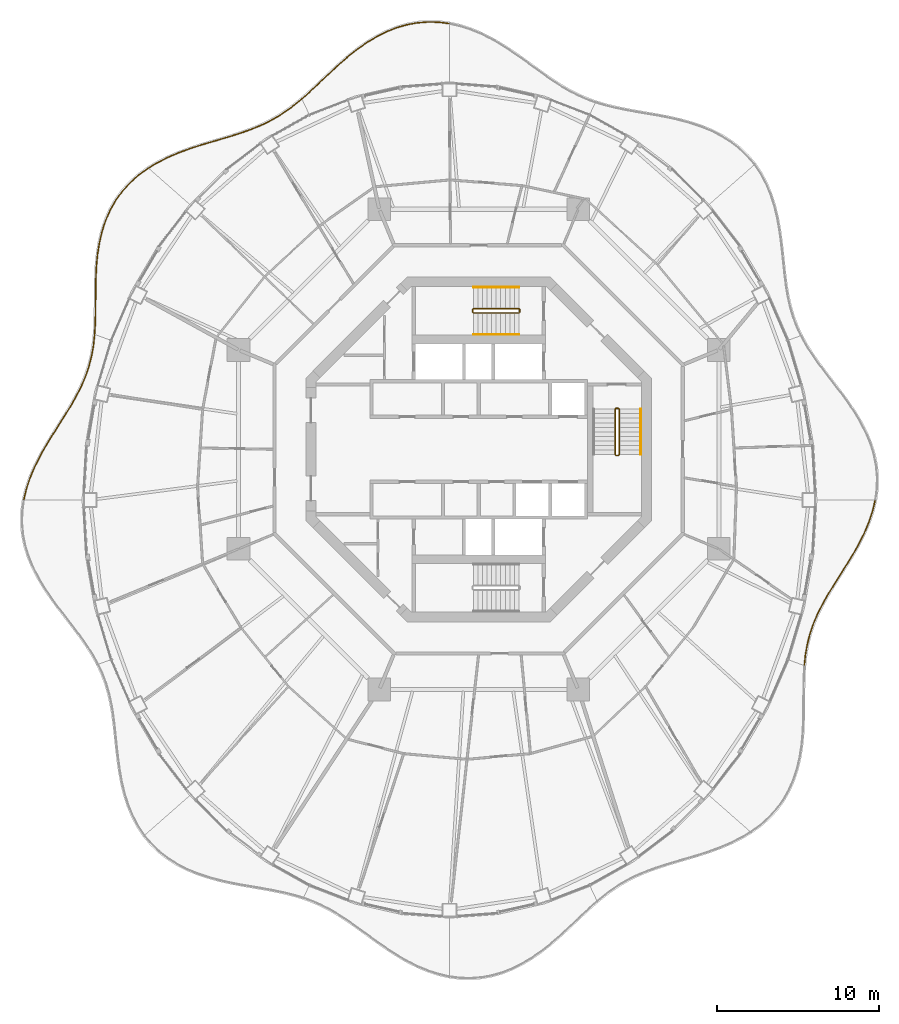
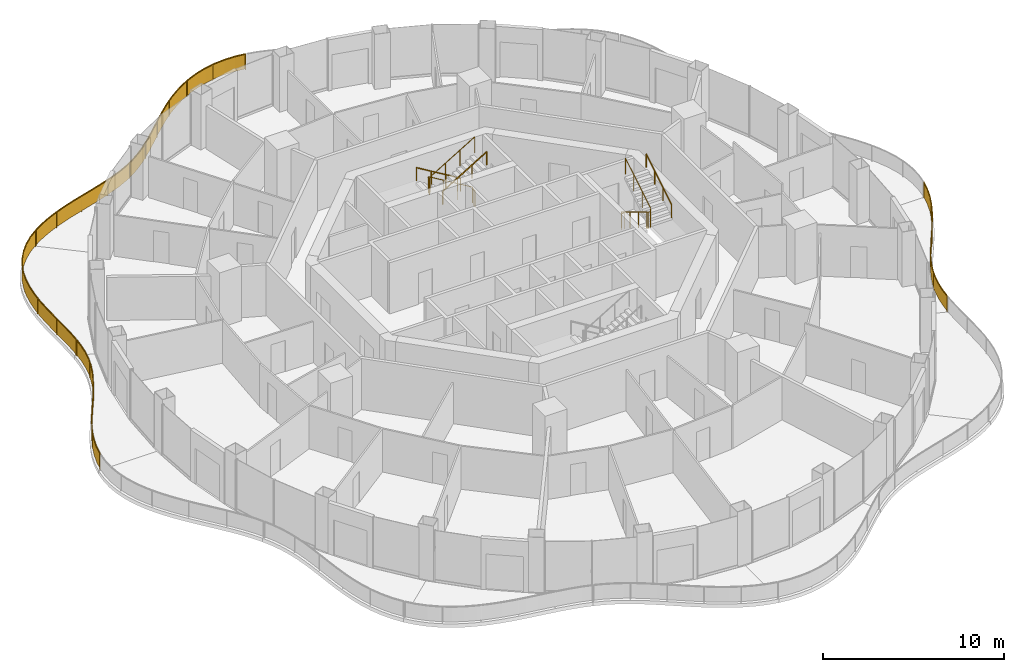
# One storey, part 16 of 17: 10 railings.
"""IFC4 building model written with IfcOpenShell, lengths in metres."""

from ifc_helpers import new_model, si_unit, direction, frame, origin, origin_2d, place, context, subcontext, project, spatial, polyline, rectangle, circle, outline, extrude, material, type_object, element, save


model = new_model("IFC4")

# Units and contexts
model_context = context("Model", 3, precision=1e-05, world=origin(), true_north=direction((0.0, 1.0)))
body_context = subcontext(model_context, "Body", "Model", "MODEL_VIEW")
ifc_project = project(units=[si_unit("LENGTHUNIT", "METRE"), si_unit("AREAUNIT", "SQUARE_METRE"), si_unit("VOLUMEUNIT", "CUBIC_METRE"), si_unit("PLANEANGLEUNIT", "RADIAN"), si_unit("MASSUNIT", "GRAM", prefix="KILO")], contexts=[model_context])

# Site, building, storey
site_placement = place(None, origin())
site = spatial("IfcSite", under=ifc_project, at=site_placement, CompositionType="ELEMENT")
building_placement = place(site_placement, origin())
building = spatial("IfcBuilding", under=site, at=building_placement, Name="Nagisa Residences", CompositionType="ELEMENT")
storey_placement = place(building_placement, frame((0.0, 0.0, 277.0)))
storey = spatial("IfcBuildingStorey", under=building, at=storey_placement, Name="L70", CompositionType="ELEMENT", Elevation=277.0)

# Railings
ifc_material_1 = material(Name="Stainless steel 316", Category="steel")
railing_type_1 = type_object("IfcRailingType", Name="BALCONY GUARD 1100", PredefinedType="BALUSTRADE", material=ifc_material_1)
railing_1_placement = place(storey_placement, frame((-1.83837890625, 26.216796875, 0.0)))
element("IfcRailing", 1, at=railing_1_placement, inside=storey, type_object=railing_type_1, Name="guard:L70:bal04-0", PredefinedType="BALUSTRADE", context=body_context, shape_type="SweptSolid", body=[
    extrude(outline(polyline([(-0.620849609375, 0.054443359375), (-0.003173828125, -0.02490234375), (0.003173828125, 0.02490234375), (-0.616943359375, 0.104248046875), (-1.28759765625, 0.1201171875), (-1.955322265625, 0.06591796875), (-2.61474609375, -0.0576171875), (-3.259521484375, -0.24755859375), (-3.875, -0.497314453125), (-4.48583984375, -0.80517578125), (-5.07470703125, -1.16162109375), (-5.64013671875, -1.557373046875), (-6.182861328125, -1.983154296875), (-6.686767578125, -2.423828125), (-7.187744140625, -2.87939453125), (-7.672119140625, -3.33544921875), (-8.144775390625, -3.783447265625), (-8.60986328125, -4.21533203125), (-9.038818359375, -4.596923828125), (-9.005615234375, -4.634521484375), (-8.576171875, -4.25244140625), (-8.110595703125, -3.820068359375), (-7.637939453125, -3.3720703125), (-7.153564453125, -2.916015625), (-6.653564453125, -2.4609375), (-6.151123046875, -2.021728515625), (-5.6103515625, -1.597412109375), (-5.04736328125, -1.20361328125), (-4.46142578125, -0.84912109375), (-3.8544921875, -0.542724609375), (-3.242919921875, -0.294921875), (-2.60302734375, -0.1064453125), (-1.948486328125, 0.01611328125), (-1.2861328125, 0.06982421875), (-0.620849609375, 0.054443359375)])), frame((0.0, 0.0, 1.050048828125)), (0.0, 0.0, 1.0), 0.050048828125),
    extrude(outline(polyline([(-0.619384765625, 0.072265625), (-0.0009765625, -0.0068359375), (0.0009765625, 0.0068359375), (-0.618408203125, 0.08642578125), (-1.287109375, 0.10205078125), (-1.952880859375, 0.0478515625), (-2.610595703125, -0.0751953125), (-3.25341796875, -0.2646484375), (-3.86767578125, -0.513671875), (-4.47705078125, -0.821044921875), (-5.06494140625, -1.1767578125), (-5.62939453125, -1.57177734375), (-6.17138671875, -1.9970703125), (-6.6748046875, -2.437255859375), (-7.17529296875, -2.892578125), (-7.659912109375, -3.3486328125), (-8.132568359375, -3.796630859375), (-8.59765625, -4.228759765625), (-9.02685546875, -4.610595703125), (-9.017578125, -4.620849609375), (-8.58837890625, -4.239013671875), (-8.122802734375, -3.806884765625), (-7.650146484375, -3.35888671875), (-7.166015625, -2.90283203125), (-6.66552734375, -2.447509765625), (-6.16259765625, -2.0078125), (-5.62109375, -1.5830078125), (-5.05712890625, -1.1884765625), (-4.47021484375, -0.833251953125), (-3.86181640625, -0.5263671875), (-3.2490234375, -0.27783203125), (-2.607177734375, -0.0888671875), (-1.950927734375, 0.0341796875), (-1.28662109375, 0.087890625), (-0.619384765625, 0.072265625)])), frame((0.0, 0.0, 0.06005859375)), (0.0, 0.0, 1.0), 0.989990234375),
    extrude(rectangle(XDim=0.0400390625, YDim=0.0400390625, at=origin_2d()), origin(), (0.0, 0.0, 1.0), 1.050048828125),
    extrude(rectangle(XDim=0.0400390625, YDim=0.0400390625, at=origin_2d()), frame((-2.105224609375, 0.01220703125, 0.0)), (0.0, 0.0, 1.0), 1.050048828125),
    extrude(rectangle(XDim=0.0400390625, YDim=0.0400390625, at=origin_2d()), frame((-4.106689453125, -0.64208984375, 0.0)), (0.0, 0.0, 1.0), 1.050048828125),
    extrude(rectangle(XDim=0.0400390625, YDim=0.0400390625, at=origin_2d()), frame((-5.88427734375, -1.780517578125, 0.0)), (0.0, 0.0, 1.0), 1.050048828125),
    extrude(rectangle(XDim=0.0400390625, YDim=0.0400390625, at=origin_2d()), frame((-7.4697265625, -3.17919921875, 0.0)), (0.0, 0.0, 1.0), 1.050048828125),
    extrude(rectangle(XDim=0.0400390625, YDim=0.0400390625, at=origin_2d()), frame((-9.022216796875, -4.61572265625, 0.0)), (0.0, 0.0, 1.0), 1.050048828125),
])
railing_2_placement = place(storey_placement, frame((-10.9140625, 21.552734375, 0.0)))
element("IfcRailing", 2, at=railing_2_placement, inside=storey, type_object=railing_type_1, Name="guard:L70:bal05-0", PredefinedType="BALUSTRADE", context=body_context, shape_type="SweptSolid", body=[
    extrude(outline(polyline([(-0.43408203125, -0.388671875), (0.015869140625, -0.019287109375), (-0.015869140625, 0.019287109375), (-0.46484375, -0.34912109375), (-0.95703125, -0.712158203125), (-1.46337890625, -1.0400390625), (-1.988037109375, -1.33447265625), (-2.53466796875, -1.596923828125), (-3.091064453125, -1.822998046875), (-3.685546875, -2.03662109375), (-4.302734375, -2.235107421875), (-4.940185546875, -2.42626953125), (-5.59326171875, -2.61865234375), (-6.244140625, -2.809814453125), (-6.91015625, -3.029296875), (-7.5712890625, -3.27392578125), (-8.21923828125, -3.55078125), (-8.84521484375, -3.864990234375), (-9.401123046875, -4.1953125), (-9.375732421875, -4.23828125), (-8.8212890625, -3.908935546875), (-8.1982421875, -3.59619140625), (-7.552734375, -3.3203125), (-6.8935546875, -3.07666015625), (-6.22900390625, -2.857666015625), (-5.5791015625, -2.66650390625), (-4.926025390625, -2.47412109375), (-4.2880859375, -2.282958984375), (-3.66943359375, -2.083984375), (-3.072998046875, -1.869873046875), (-2.51416015625, -1.642822265625), (-1.965087890625, -1.37890625), (-1.4375, -1.0830078125), (-0.9287109375, -0.753173828125), (-0.43408203125, -0.388671875)])), frame((0.0, 0.0, 1.050048828125)), (0.0, 0.0, 1.0), 0.050048828125),
    extrude(outline(polyline([(-0.445068359375, -0.37451171875), (0.00439453125, -0.00537109375), (-0.00439453125, 0.00537109375), (-0.453857421875, -0.36328125), (-0.94677734375, -0.726806640625), (-1.4541015625, -1.055419921875), (-1.979736328125, -1.3505859375), (-2.52734375, -1.613525390625), (-3.08447265625, -1.83984375), (-3.6796875, -2.0537109375), (-4.297607421875, -2.25244140625), (-4.93505859375, -2.443603515625), (-5.588134765625, -2.6357421875), (-6.23876953125, -2.8271484375), (-6.904052734375, -3.04638671875), (-7.564697265625, -3.29052734375), (-8.211669921875, -3.567138671875), (-8.836669921875, -3.880859375), (-9.39208984375, -4.210693359375), (-9.384765625, -4.222900390625), (-8.829833984375, -3.89306640625), (-8.205810546875, -3.579833984375), (-7.559326171875, -3.3037109375), (-6.899658203125, -3.0595703125), (-6.234375, -2.84033203125), (-5.584228515625, -2.6494140625), (-4.93115234375, -2.456787109375), (-4.293212890625, -2.265625), (-3.67529296875, -2.06689453125), (-3.07958984375, -1.85302734375), (-2.521484375, -1.626220703125), (-1.973388671875, -1.36279296875), (-1.44677734375, -1.067626953125), (-0.93896484375, -0.738525390625), (-0.445068359375, -0.37451171875)])), frame((0.0, 0.0, 0.06005859375)), (0.0, 0.0, 1.0), 0.989990234375),
    extrude(rectangle(XDim=0.0400390625, YDim=0.0400390625, at=origin_2d()), origin(), (0.0, 0.0, 1.0), 1.050048828125),
    extrude(rectangle(XDim=0.0400390625, YDim=0.0400390625, at=origin_2d()), frame((-1.690185546875, -1.196044921875, 0.0)), (0.0, 0.0, 1.0), 1.050048828125),
    extrude(rectangle(XDim=0.0400390625, YDim=0.0400390625, at=origin_2d()), frame((-3.58642578125, -2.027587890625, 0.0)), (0.0, 0.0, 1.0), 1.050048828125),
    extrude(rectangle(XDim=0.0400390625, YDim=0.0400390625, at=origin_2d()), frame((-5.56884765625, -2.637451171875, 0.0)), (0.0, 0.0, 1.0), 1.050048828125),
    extrude(rectangle(XDim=0.0400390625, YDim=0.0400390625, at=origin_2d()), frame((-7.537353515625, -3.2880859375, 0.0)), (0.0, 0.0, 1.0), 1.050048828125),
    extrude(rectangle(XDim=0.0400390625, YDim=0.0400390625, at=origin_2d()), frame((-9.388427734375, -4.216796875, 0.0)), (0.0, 0.0, 1.0), 1.050048828125),
])
railing_3_placement = place(storey_placement, frame((-20.36767578125, 17.2939453125, 0.0)))
element("IfcRailing", 3, at=railing_3_placement, inside=storey, type_object=railing_type_1, Name="guard:L70:bal06-0", PredefinedType="BALUSTRADE", context=body_context, shape_type="SweptSolid", body=[
    extrude(outline(polyline([(-0.52978515625, -0.4111328125), (0.0146484375, -0.020263671875), (-0.0146484375, 0.020263671875), (-0.56103515625, -0.3720703125), (-1.094482421875, -0.843994140625), (-1.5712890625, -1.365234375), (-1.986572265625, -1.933837890625), (-2.336669921875, -2.5439453125), (-2.615966796875, -3.18212890625), (-2.84033203125, -3.8623046875), (-3.00634765625, -4.56640625), (-3.120849609375, -5.28662109375), (-3.192138671875, -6.015869140625), (-3.223388671875, -6.7333984375), (-3.23876953125, -7.459228515625), (-3.2431640625, -8.17431640625), (-3.248046875, -8.875244140625), (-3.264892578125, -9.558349609375), (-3.300048828125, -10.1796875), (-3.250244140625, -10.1826171875), (-3.215087890625, -9.560302734375), (-3.1982421875, -8.876220703125), (-3.193359375, -8.1748046875), (-3.18896484375, -7.459716796875), (-3.173583984375, -6.73486328125), (-3.142333984375, -6.019287109375), (-3.071044921875, -5.29296875), (-2.95703125, -4.576171875), (-2.7919921875, -3.8759765625), (-2.569091796875, -3.2001953125), (-2.291748046875, -2.56640625), (-1.944580078125, -1.961181640625), (-1.53271484375, -1.39697265625), (-1.059326171875, -0.879638671875), (-0.52978515625, -0.4111328125)])), frame((0.0, 0.0, 1.050048828125)), (0.0, 0.0, 1.0), 0.050048828125),
    extrude(outline(polyline([(-0.541015625, -0.39697265625), (0.004150390625, -0.005615234375), (-0.004150390625, 0.005615234375), (-0.5498046875, -0.38623046875), (-1.081787109375, -0.85693359375), (-1.557373046875, -1.376708984375), (-1.971435546875, -1.943603515625), (-2.320556640625, -2.552001953125), (-2.59912109375, -3.188720703125), (-2.822998046875, -3.8671875), (-2.988525390625, -4.56982421875), (-3.102783203125, -5.288818359375), (-3.17431640625, -6.01708984375), (-3.20556640625, -6.73388671875), (-3.220947265625, -7.45947265625), (-3.225341796875, -8.174560546875), (-3.230224609375, -8.875732421875), (-3.2470703125, -9.55908203125), (-3.2822265625, -10.1806640625), (-3.26806640625, -10.181640625), (-3.23291015625, -9.5595703125), (-3.216064453125, -8.875732421875), (-3.211181640625, -8.174560546875), (-3.206787109375, -7.45947265625), (-3.19140625, -6.734375), (-3.16015625, -6.01806640625), (-3.089111328125, -5.290771484375), (-2.974853515625, -4.57275390625), (-2.809326171875, -3.87109375), (-2.5859375, -3.193603515625), (-2.307861328125, -2.558349609375), (-1.959716796875, -1.951416015625), (-1.546630859375, -1.385498046875), (-1.072021484375, -0.86669921875), (-0.541015625, -0.39697265625)])), frame((0.0, 0.0, 0.06005859375)), (0.0, 0.0, 1.0), 0.989990234375),
    extrude(rectangle(XDim=0.0400390625, YDim=0.0400390625, at=origin_2d()), origin(), (0.0, 0.0, 1.0), 1.050048828125),
    extrude(rectangle(XDim=0.0400390625, YDim=0.0400390625, at=origin_2d()), frame((-1.648193359375, -1.512939453125, 0.0)), (0.0, 0.0, 1.0), 1.050048828125),
    extrude(rectangle(XDim=0.0400390625, YDim=0.0400390625, at=origin_2d()), frame((-2.69140625, -3.490478515625, 0.0)), (0.0, 0.0, 1.0), 1.050048828125),
    extrude(rectangle(XDim=0.0400390625, YDim=0.0400390625, at=origin_2d()), frame((-3.135009765625, -5.6884765625, 0.0)), (0.0, 0.0, 1.0), 1.050048828125),
    extrude(rectangle(XDim=0.0400390625, YDim=0.0400390625, at=origin_2d()), frame((-3.216796875, -7.934326171875, 0.0)), (0.0, 0.0, 1.0), 1.050048828125),
    extrude(rectangle(XDim=0.0400390625, YDim=0.0400390625, at=origin_2d()), frame((-3.275146484375, -10.18115234375, 0.0)), (0.0, 0.0, 1.0), 1.050048828125),
])
railing_4_placement = place(storey_placement, frame((-23.646484375, 7.041015625, 0.0)))
element("IfcRailing", 4, at=railing_4_placement, inside=storey, type_object=railing_type_1, Name="guard:L70:bal07-0", PredefinedType="BALUSTRADE", context=body_context, shape_type="SweptSolid", body=[
    extrude(outline(polyline([(-0.042236328125, -0.62646484375), (0.02490234375, -0.002685546875), (-0.02490234375, 0.002685546875), (-0.092041015625, -0.61962890625), (-0.2041015625, -1.263671875), (-0.361572265625, -1.89013671875), (-0.5673828125, -2.503173828125), (-0.8203125, -3.106201171875), (-1.114990234375, -3.69091796875), (-1.451416015625, -4.2890625), (-1.818359375, -4.89208984375), (-2.205078125, -5.50341796875), (-2.599609375, -6.126708984375), (-2.98681640625, -6.750732421875), (-3.356689453125, -7.404296875), (-3.69384765625, -8.073486328125), (-3.9853515625, -8.7578125), (-4.219970703125, -9.45458984375), (-4.378173828125, -10.115234375), (-4.329345703125, -10.126953125), (-4.171630859375, -9.46826171875), (-3.9384765625, -8.775390625), (-3.6484375, -8.094482421875), (-3.312744140625, -7.427734375), (-2.94384765625, -6.776123046875), (-2.55712890625, -6.153076171875), (-2.16259765625, -5.5302734375), (-1.77587890625, -4.91845703125), (-1.408447265625, -4.314453125), (-1.071044921875, -3.71435546875), (-0.77490234375, -3.127197265625), (-0.5205078125, -2.520751953125), (-0.313720703125, -1.904296875), (-0.1552734375, -1.27392578125), (-0.042236328125, -0.62646484375)])), frame((0.0, 0.0, 1.050048828125)), (0.0, 0.0, 1.0), 0.050048828125),
    extrude(outline(polyline([(-0.060302734375, -0.6240234375), (0.007080078125, -0.000732421875), (-0.007080078125, 0.000732421875), (-0.073974609375, -0.6220703125), (-0.1865234375, -1.267333984375), (-0.344482421875, -1.895263671875), (-0.550537109375, -2.509521484375), (-0.803955078125, -3.11376953125), (-1.09912109375, -3.699462890625), (-1.43603515625, -4.29833984375), (-1.802978515625, -4.901611328125), (-2.189697265625, -5.51318359375), (-2.584228515625, -6.13623046875), (-2.971435546875, -6.759765625), (-3.3408203125, -7.41259765625), (-3.677490234375, -8.0810546875), (-3.968505859375, -8.76416015625), (-4.20263671875, -9.45947265625), (-4.360595703125, -10.119384765625), (-4.346923828125, -10.122802734375), (-4.18896484375, -9.46337890625), (-3.955322265625, -8.76904296875), (-3.664794921875, -8.0869140625), (-3.32861328125, -7.41943359375), (-2.959228515625, -6.76708984375), (-2.572509765625, -6.1435546875), (-2.177978515625, -5.5205078125), (-1.791259765625, -4.908935546875), (-1.423828125, -4.30517578125), (-1.0869140625, -3.705810546875), (-0.791259765625, -3.11962890625), (-0.537353515625, -2.514404296875), (-0.330810546875, -1.899169921875), (-0.1728515625, -1.270263671875), (-0.060302734375, -0.6240234375)])), frame((0.0, 0.0, 0.06005859375)), (0.0, 0.0, 1.0), 0.989990234375),
    extrude(rectangle(XDim=0.0400390625, YDim=0.0400390625, at=origin_2d()), origin(), (0.0, 0.0, 1.0), 1.050048828125),
    extrude(rectangle(XDim=0.0400390625, YDim=0.0400390625, at=origin_2d()), frame((-0.431884765625, -2.177734375, 0.0)), (0.0, 0.0, 1.0), 1.050048828125),
    extrude(rectangle(XDim=0.0400390625, YDim=0.0400390625, at=origin_2d()), frame((-1.368408203125, -4.192138671875, 0.0)), (0.0, 0.0, 1.0), 1.050048828125),
    extrude(rectangle(XDim=0.0400390625, YDim=0.0400390625, at=origin_2d()), frame((-2.54248046875, -6.083251953125, 0.0)), (0.0, 0.0, 1.0), 1.050048828125),
    extrude(rectangle(XDim=0.0400390625, YDim=0.0400390625, at=origin_2d()), frame((-3.638427734375, -8.01904296875, 0.0)), (0.0, 0.0, 1.0), 1.050048828125),
    extrude(rectangle(XDim=0.0400390625, YDim=0.0400390625, at=origin_2d()), frame((-4.353759765625, -10.12109375, 0.0)), (0.0, 0.0, 1.0), 1.050048828125),
])
railing_5_placement = place(storey_placement, frame((20.046630859375, -13.2763671875, 0.0)))
element("IfcRailing", 5, at=railing_5_placement, inside=storey, type_object=railing_type_1, Name="guard:L70:bal15-0", PredefinedType="BALUSTRADE", context=body_context, shape_type="SweptSolid", body=[
    extrude(outline(polyline([(0.0419921875, 0.62646484375), (-0.02490234375, 0.002685546875), (0.02490234375, -0.002685546875), (0.091796875, 0.61962890625), (0.203857421875, 1.263671875), (0.361328125, 1.89013671875), (0.567138671875, 2.503173828125), (0.8203125, 3.106201171875), (1.11474609375, 3.69091796875), (1.451171875, 4.2890625), (1.818115234375, 4.89208984375), (2.205078125, 5.50341796875), (2.599365234375, 6.126708984375), (2.98681640625, 6.750732421875), (3.3564453125, 7.404296875), (3.693603515625, 8.073486328125), (3.985107421875, 8.7578125), (4.2197265625, 9.45458984375), (4.3779296875, 10.115234375), (4.3291015625, 10.126953125), (4.17138671875, 9.46826171875), (3.938232421875, 8.775390625), (3.648193359375, 8.094482421875), (3.3125, 7.427734375), (2.94384765625, 6.776123046875), (2.556884765625, 6.153076171875), (2.16259765625, 5.5302734375), (1.775634765625, 4.91845703125), (1.408203125, 4.314453125), (1.07080078125, 3.71435546875), (0.77490234375, 3.127197265625), (0.520263671875, 2.520751953125), (0.3134765625, 1.904296875), (0.155029296875, 1.27392578125), (0.0419921875, 0.62646484375)])), frame((0.0, 0.0, 1.050048828125)), (0.0, 0.0, 1.0), 0.050048828125),
    extrude(outline(polyline([(0.06005859375, 0.6240234375), (-0.007080078125, 0.000732421875), (0.007080078125, -0.000732421875), (0.07373046875, 0.6220703125), (0.186279296875, 1.267333984375), (0.34423828125, 1.895263671875), (0.55029296875, 2.509521484375), (0.803955078125, 3.11376953125), (1.098876953125, 3.699462890625), (1.435791015625, 4.29833984375), (1.802734375, 4.901611328125), (2.189697265625, 5.51318359375), (2.583984375, 6.13623046875), (2.971435546875, 6.759765625), (3.340576171875, 7.41259765625), (3.67724609375, 8.0810546875), (3.96826171875, 8.76416015625), (4.202392578125, 9.45947265625), (4.3603515625, 10.119384765625), (4.3466796875, 10.122802734375), (4.188720703125, 9.46337890625), (3.955078125, 8.76904296875), (3.66455078125, 8.0869140625), (3.328369140625, 7.41943359375), (2.959228515625, 6.76708984375), (2.572265625, 6.1435546875), (2.177978515625, 5.5205078125), (1.791015625, 4.908935546875), (1.423583984375, 4.30517578125), (1.086669921875, 3.705810546875), (0.791259765625, 3.11962890625), (0.537109375, 2.514404296875), (0.33056640625, 1.899169921875), (0.172607421875, 1.270263671875), (0.06005859375, 0.6240234375)])), frame((0.0, 0.0, 0.06005859375)), (0.0, 0.0, 1.0), 0.989990234375),
    extrude(rectangle(XDim=0.0400390625, YDim=0.0400390625, at=origin_2d()), origin(), (0.0, 0.0, 1.0), 1.050048828125),
    extrude(rectangle(XDim=0.0400390625, YDim=0.0400390625, at=origin_2d()), frame((0.431640625, 2.177734375, 0.0)), (0.0, 0.0, 1.0), 1.050048828125),
    extrude(rectangle(XDim=0.0400390625, YDim=0.0400390625, at=origin_2d()), frame((1.3681640625, 4.192138671875, 0.0)), (0.0, 0.0, 1.0), 1.050048828125),
    extrude(rectangle(XDim=0.0400390625, YDim=0.0400390625, at=origin_2d()), frame((2.542236328125, 6.083251953125, 0.0)), (0.0, 0.0, 1.0), 1.050048828125),
    extrude(rectangle(XDim=0.0400390625, YDim=0.0400390625, at=origin_2d()), frame((3.63818359375, 8.01904296875, 0.0)), (0.0, 0.0, 1.0), 1.050048828125),
    extrude(rectangle(XDim=0.0400390625, YDim=0.0400390625, at=origin_2d()), frame((4.353515625, 10.12109375, 0.0)), (0.0, 0.0, 1.0), 1.050048828125),
])
ifc_material_2 = material(Name="Stainless steel", Category="steel")
railing_type_2 = type_object("IfcRailingType", Name="Stair guard 1100", PredefinedType="GUARDRAIL", material=ifc_material_2)
railing_6_placement = place(storey_placement, frame((8.599609375, 2.52490234375, 0.0)))
element("IfcRailing", 6, at=railing_6_placement, inside=storey, type_object=railing_type_2, Name="L70 ST-E stair guard 1", PredefinedType="GUARDRAIL", context=body_context, shape_type="SweptSolid", body=[
    extrude(circle(Radius=0.02392578125, at=origin_2d()), frame((0.0, 0.0, 1.076171875), z_axis=(-1.0, 0.0, 0.0), x_axis=(0.0, -1.0, 0.0)), (0.0, 0.0, 1.0), 0.14990234375),
    extrude(circle(Radius=0.02392578125, at=origin_2d()), frame((-0.14990234375, 0.0, 1.076171875), z_axis=(-0.27434429532, -0.273006030465, 0.922064485248), x_axis=(0.705375805398, -0.708833529934, 0.0)), (0.0, 0.0, 1.0), 0.182373046875),
    extrude(circle(Radius=0.02392578125, at=origin_2d()), frame((-0.199951171875, -0.0498046875, 1.244140625), z_axis=(0.0, -0.857242210791, 0.514913383045), x_axis=(1.0, 0.0, 0.0)), (0.0, 0.0, 1.0), 3.266357421875),
    extrude(circle(Radius=0.02392578125, at=origin_2d()), frame((-0.199951171875, -2.849853515625, 2.92626953125), z_axis=(0.707106781187, -0.707106781187, 0.0), x_axis=(0.707106781187, 0.707106781187, 0.0)), (0.0, 0.0, 1.0), 0.07080078125),
    extrude(circle(Radius=0.02392578125, at=origin_2d()), frame((-0.14990234375, -2.89990234375, 2.92626953125), z_axis=(1.0, 0.0, 0.0), x_axis=(0.0, 1.0, 0.0)), (0.0, 0.0, 1.0), 0.14990234375),
    extrude(circle(Radius=0.02392578125, at=origin_2d()), frame((0.0, -2.89990234375, 2.92626953125), z_axis=(0.274582412415, 0.274582412415, 0.921525364591), x_axis=(-0.707106781187, 0.707106781187, 0.0)), (0.0, 0.0, 1.0), 0.182373046875),
    extrude(circle(Radius=0.02392578125, at=origin_2d()), frame((0.050048828125, -2.849853515625, 3.09423828125), z_axis=(0.0, 0.857242210791, 0.514913383045), x_axis=(-1.0, 0.0, 0.0)), (0.0, 0.0, 1.0), 3.266357421875),
    extrude(circle(Radius=0.02099609375, at=origin_2d()), origin(), (0.0, 0.0, 1.0), 1.052001953125),
    extrude(circle(Radius=0.02099609375, at=origin_2d()), frame((-0.14990234375, 0.0, 0.0)), (0.0, 0.0, 1.0), 1.052001953125),
    extrude(circle(Radius=0.02099609375, at=origin_2d()), frame((-0.199951171875, -0.0498046875, 0.168212890625)), (0.0, 0.0, 1.0), 1.052001953125),
    extrude(circle(Radius=0.02099609375, at=origin_2d()), frame((-0.199951171875, -0.983154296875, 0.728759765625)), (0.0, 0.0, 1.0), 1.052001953125),
    extrude(circle(Radius=0.02099609375, at=origin_2d()), frame((-0.199951171875, -1.91650390625, 1.28955078125)), (0.0, 0.0, 1.0), 1.052001953125),
    extrude(circle(Radius=0.02099609375, at=origin_2d()), frame((-0.199951171875, -2.849853515625, 1.85009765625)), (0.0, 0.0, 1.0), 1.052001953125),
    extrude(circle(Radius=0.02099609375, at=origin_2d()), frame((-0.14990234375, -2.89990234375, 1.85009765625)), (0.0, 0.0, 1.0), 1.052001953125),
    extrude(circle(Radius=0.02099609375, at=origin_2d()), frame((0.0, -2.89990234375, 1.85009765625)), (0.0, 0.0, 1.0), 1.052001953125),
    extrude(circle(Radius=0.02099609375, at=origin_2d()), frame((0.050048828125, -2.849853515625, 2.01806640625)), (0.0, 0.0, 1.0), 1.052001953125),
    extrude(circle(Radius=0.02099609375, at=origin_2d()), frame((0.050048828125, -1.91650390625, 2.57861328125)), (0.0, 0.0, 1.0), 1.052001953125),
    extrude(circle(Radius=0.02099609375, at=origin_2d()), frame((0.050048828125, -0.983154296875, 3.139404296875)), (0.0, 0.0, 1.0), 1.052001953125),
    extrude(circle(Radius=0.02099609375, at=origin_2d()), frame((0.050048828125, -0.0498046875, 3.699951171875)), (0.0, 0.0, 1.0), 1.052001953125),
])
railing_7_placement = place(storey_placement, frame((2.52490234375, 8.44970703125, 0.0)))
element("IfcRailing", 7, at=railing_7_placement, inside=storey, type_object=railing_type_2, Name="L70 ST-N stair guard 1", PredefinedType="GUARDRAIL", context=body_context, shape_type="SweptSolid", body=[
    extrude(circle(Radius=0.02392578125, at=origin_2d()), frame((0.0, 0.0, 1.076171875), z_axis=(0.0, 1.0, 0.0), x_axis=(-1.0, 0.0, 0.0)), (0.0, 0.0, 1.0), 0.14990234375),
    extrude(circle(Radius=0.02392578125, at=origin_2d()), frame((0.0, 0.14990234375, 1.076171875), z_axis=(-0.273006030465, 0.27434429532, 0.922064485248), x_axis=(-0.708833529934, -0.705375805398, 0.0)), (0.0, 0.0, 1.0), 0.182373046875),
    extrude(circle(Radius=0.02392578125, at=origin_2d()), frame((-0.0498046875, 0.199951171875, 1.244140625), z_axis=(-0.857242210791, 0.0, 0.514913383045), x_axis=(0.0, -1.0, 0.0)), (0.0, 0.0, 1.0), 3.266357421875),
    extrude(circle(Radius=0.02392578125, at=origin_2d()), frame((-2.849853515625, 0.199951171875, 2.92626953125), z_axis=(-0.707106781187, -0.707106781187, 0.0), x_axis=(0.707106781187, -0.707106781187, 0.0)), (0.0, 0.0, 1.0), 0.07080078125),
    extrude(circle(Radius=0.02392578125, at=origin_2d()), frame((-2.89990234375, 0.14990234375, 2.92626953125), z_axis=(0.0, -1.0, 0.0), x_axis=(1.0, 0.0, 0.0)), (0.0, 0.0, 1.0), 0.14990234375),
    extrude(circle(Radius=0.02392578125, at=origin_2d()), frame((-2.89990234375, 0.0, 2.92626953125), z_axis=(0.274582412415, -0.274582412415, 0.921525364591), x_axis=(0.707106781187, 0.707106781187, 0.0)), (0.0, 0.0, 1.0), 0.182373046875),
    extrude(circle(Radius=0.02392578125, at=origin_2d()), frame((-2.849853515625, -0.050048828125, 3.09423828125), z_axis=(0.857242210791, 0.0, 0.514913383045), x_axis=(0.0, 1.0, 0.0)), (0.0, 0.0, 1.0), 3.266357421875),
    extrude(circle(Radius=0.02099609375, at=origin_2d()), origin(), (0.0, 0.0, 1.0), 1.052001953125),
    extrude(circle(Radius=0.02099609375, at=origin_2d()), frame((0.0, 0.14990234375, 0.0)), (0.0, 0.0, 1.0), 1.052001953125),
    extrude(circle(Radius=0.02099609375, at=origin_2d()), frame((-0.0498046875, 0.199951171875, 0.168212890625)), (0.0, 0.0, 1.0), 1.052001953125),
    extrude(circle(Radius=0.02099609375, at=origin_2d()), frame((-0.983154296875, 0.199951171875, 0.728759765625)), (0.0, 0.0, 1.0), 1.052001953125),
    extrude(circle(Radius=0.02099609375, at=origin_2d()), frame((-1.91650390625, 0.199951171875, 1.28955078125)), (0.0, 0.0, 1.0), 1.052001953125),
    extrude(circle(Radius=0.02099609375, at=origin_2d()), frame((-2.849853515625, 0.199951171875, 1.85009765625)), (0.0, 0.0, 1.0), 1.052001953125),
    extrude(circle(Radius=0.02099609375, at=origin_2d()), frame((-2.89990234375, 0.14990234375, 1.85009765625)), (0.0, 0.0, 1.0), 1.052001953125),
    extrude(circle(Radius=0.02099609375, at=origin_2d()), frame((-2.89990234375, 0.0, 1.85009765625)), (0.0, 0.0, 1.0), 1.052001953125),
    extrude(circle(Radius=0.02099609375, at=origin_2d()), frame((-2.849853515625, -0.050048828125, 2.01806640625)), (0.0, 0.0, 1.0), 1.052001953125),
    extrude(circle(Radius=0.02099609375, at=origin_2d()), frame((-1.91650390625, -0.050048828125, 2.57861328125)), (0.0, 0.0, 1.0), 1.052001953125),
    extrude(circle(Radius=0.02099609375, at=origin_2d()), frame((-0.983154296875, -0.050048828125, 3.139404296875)), (0.0, 0.0, 1.0), 1.052001953125),
    extrude(circle(Radius=0.02099609375, at=origin_2d()), frame((-0.0498046875, -0.050048828125, 3.699951171875)), (0.0, 0.0, 1.0), 1.052001953125),
])
ifc_material_3 = material(Name="Stainless steel", Category="steel")
railing_type_3 = type_object("IfcRailingType", Name="Stair handrail 900", PredefinedType="HANDRAIL", material=ifc_material_3)
railing_8_placement = place(storey_placement, frame((9.974609375, -0.324951171875, 2.01806640625)))
element("IfcRailing", 8, at=railing_8_placement, inside=storey, type_object=railing_type_3, Name="L70 ST-E stair handrail 2", PredefinedType="HANDRAIL", context=body_context, shape_type="SweptSolid", body=[
    extrude(circle(Radius=0.02392578125, at=origin_2d()), frame((0.0, 0.0, 0.8759765625), z_axis=(0.0, 0.857242210791, 0.514913383045), x_axis=(-1.0, 0.0, 0.0)), (0.0, 0.0, 1.0), 3.266357421875),
    extrude(circle(Radius=0.02099609375, at=origin_2d()), origin(), (0.0, 0.0, 1.0), 0.851806640625),
    extrude(circle(Radius=0.02099609375, at=origin_2d()), frame((0.0, 0.933349609375, 0.560546875)), (0.0, 0.0, 1.0), 0.851806640625),
    extrude(circle(Radius=0.02099609375, at=origin_2d()), frame((0.0, 1.86669921875, 1.121337890625)), (0.0, 0.0, 1.0), 0.851806640625),
    extrude(circle(Radius=0.02099609375, at=origin_2d()), frame((0.0, 2.800048828125, 1.681884765625)), (0.0, 0.0, 1.0), 0.851806640625),
])
railing_9_placement = place(storey_placement, frame((2.47509765625, 9.974609375, 0.168212890625)))
element("IfcRailing", 9, at=railing_9_placement, inside=storey, type_object=railing_type_3, Name="L70 ST-N stair handrail 1", PredefinedType="HANDRAIL", context=body_context, shape_type="SweptSolid", body=[
    extrude(circle(Radius=0.02392578125, at=origin_2d()), frame((0.0, 0.0, 0.8759765625), z_axis=(-0.857242210791, 0.0, 0.514913383045), x_axis=(0.0, -1.0, 0.0)), (0.0, 0.0, 1.0), 3.266357421875),
    extrude(circle(Radius=0.02099609375, at=origin_2d()), origin(), (0.0, 0.0, 1.0), 0.851806640625),
    extrude(circle(Radius=0.02099609375, at=origin_2d()), frame((-0.933349609375, 0.0, 0.560546875)), (0.0, 0.0, 1.0), 0.851806640625),
    extrude(circle(Radius=0.02099609375, at=origin_2d()), frame((-1.86669921875, 0.0, 1.121337890625)), (0.0, 0.0, 1.0), 0.851806640625),
    extrude(circle(Radius=0.02099609375, at=origin_2d()), frame((-2.800048828125, 0.0, 1.681884765625)), (0.0, 0.0, 1.0), 0.851806640625),
])
railing_10_placement = place(storey_placement, frame((-0.324951171875, 7.07470703125, 2.01806640625)))
element("IfcRailing", 10, at=railing_10_placement, inside=storey, type_object=railing_type_3, Name="L70 ST-N stair handrail 2", PredefinedType="HANDRAIL", context=body_context, shape_type="SweptSolid", body=[
    extrude(circle(Radius=0.02392578125, at=origin_2d()), frame((0.0, 0.0, 0.8759765625), z_axis=(0.857242210791, 0.0, 0.514913383045), x_axis=(0.0, 1.0, 0.0)), (0.0, 0.0, 1.0), 3.266357421875),
    extrude(circle(Radius=0.02099609375, at=origin_2d()), origin(), (0.0, 0.0, 1.0), 0.851806640625),
    extrude(circle(Radius=0.02099609375, at=origin_2d()), frame((0.933349609375, 0.0, 0.560546875)), (0.0, 0.0, 1.0), 0.851806640625),
    extrude(circle(Radius=0.02099609375, at=origin_2d()), frame((1.86669921875, 0.0, 1.121337890625)), (0.0, 0.0, 1.0), 0.851806640625),
    extrude(circle(Radius=0.02099609375, at=origin_2d()), frame((2.800048828125, 0.0, 1.681884765625)), (0.0, 0.0, 1.0), 0.851806640625),
])

save(model, "model.ifc")
